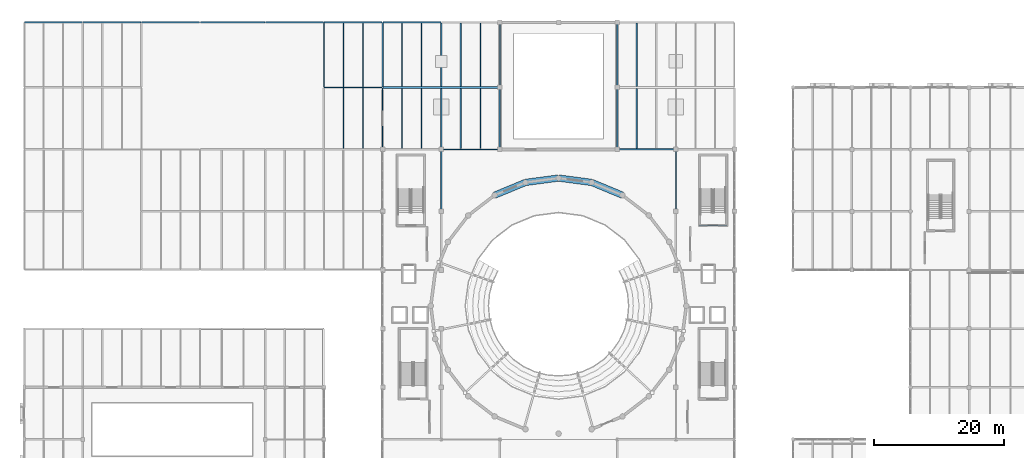
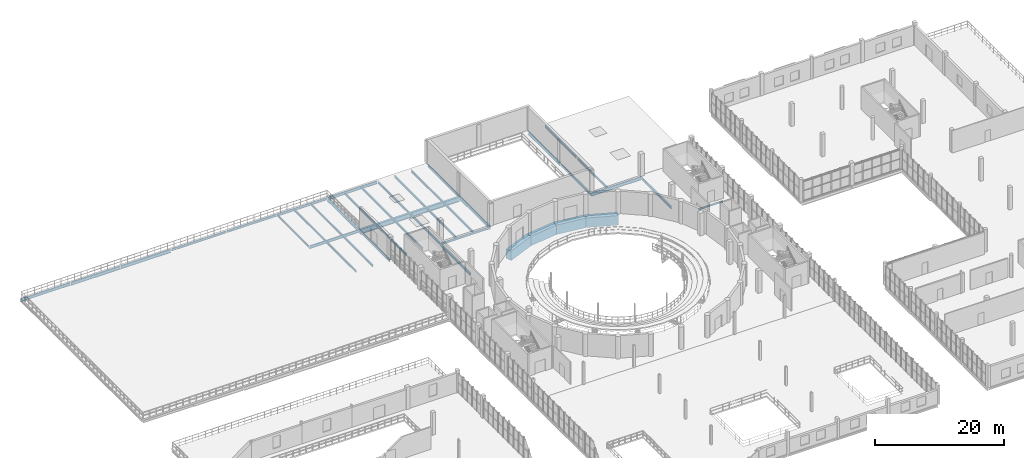
# One storey, part 36 of 73: 41 beams.
"""IFC4 building model written with IfcOpenShell, lengths in metres."""

from ifc_helpers import new_model, si_unit, direction, frame, origin, origin_2d, place, context, subcontext, project, spatial, rectangle, i_section, extrude, material, material_profile, profile_set, type_object, element, save


model = new_model("IFC4")

# Units and contexts
model_context = context("Model", 3, precision=1e-05, world=origin(), true_north=direction((0.0, 1.0)))
body_context = subcontext(model_context, "Body", "Model", "MODEL_VIEW")
ifc_project = project(units=[si_unit("LENGTHUNIT", "METRE"), si_unit("AREAUNIT", "SQUARE_METRE"), si_unit("VOLUMEUNIT", "CUBIC_METRE"), si_unit("PLANEANGLEUNIT", "RADIAN"), si_unit("MASSUNIT", "GRAM", prefix="KILO")], contexts=[model_context])

# Site, building, storey
site_placement = place(None, origin())
site = spatial("IfcSite", under=ifc_project, at=site_placement, CompositionType="ELEMENT")
building_placement = place(site_placement, origin())
building = spatial("IfcBuilding", under=site, at=building_placement, Name="Marnock Terrace Opera House", CompositionType="ELEMENT")
storey_placement = place(building_placement, frame((0.0, 0.0, 14.699951171875)))
storey = spatial("IfcBuildingStorey", under=building, at=storey_placement, Name="L03", CompositionType="ELEMENT", Elevation=14.699951171875)

# Beams
ifc_material_1 = material(Name="Steel Grade 350 (AS/NZS 3679.1)", Category="steel")
ifc_material_profile_1 = material_profile(ifc_material_1, i_section(OverallWidth=0.1708984375, OverallDepth=0.355712890625, WebThickness=0.00732421875, FlangeThickness=0.011474609375, FilletRadius=0.011474609375, at=origin_2d()))
ifc_profile_set_1 = profile_set([ifc_material_profile_1], Name="Steel Grade 350 (AS/NZS 3679.1)")
beam_type_1 = type_object("IfcBeamType", Name="BM-GIRD-360", PredefinedType="BEAM", material=ifc_profile_set_1)
beam_1_placement = place(storey_placement, frame((46.0, 94.050048828125, -0.44775390625), z_axis=(0.0, 1.0, 0.0), x_axis=(-1.0, 0.0, 0.0)))
element("IfcBeam", 1, at=beam_1_placement, inside=storey, type_object=beam_type_1, Name="L03 girder (X=46.0, 94.0..104.0)", PredefinedType="BEAM", context=body_context, shape_type="SweptSolid", body=[
    extrude(i_section(OverallWidth=0.1708984375, OverallDepth=0.355712890625, WebThickness=0.00732421875, FlangeThickness=0.011474609375, FilletRadius=0.011474609375, at=origin_2d()), origin(), (0.0, 0.0, 1.0), 9.89990234375),
])
ifc_material_profile_2 = material_profile(ifc_material_1, i_section(OverallWidth=0.177978515625, OverallDepth=0.402587890625, WebThickness=0.007568359375, FlangeThickness=0.010986328125, FilletRadius=0.011474609375, at=origin_2d()))
ifc_profile_set_2 = profile_set([ifc_material_profile_2], Name="Steel Grade 350 (AS/NZS 3679.1)")
beam_type_2 = type_object("IfcBeamType", Name="BM-GIRD-410", PredefinedType="BEAM", material=ifc_profile_set_2)
beam_2_placement = place(storey_placement, frame((64.050048828125, 84.5, -0.461181640625), z_axis=(1.0, 0.0, 0.0), x_axis=(0.0, 1.0, 0.0)))
element("IfcBeam", 2, at=beam_2_placement, inside=storey, type_object=beam_type_2, Name="L03 girder (64.0..73.0, Y=84.5)", PredefinedType="BEAM", context=body_context, shape_type="SweptSolid", body=[
    extrude(i_section(OverallWidth=0.177978515625, OverallDepth=0.402587890625, WebThickness=0.007568359375, FlangeThickness=0.010986328125, FilletRadius=0.011474609375, at=origin_2d()), origin(), (0.0, 0.0, 1.0), 8.89990234375),
])
beam_3_placement = place(storey_placement, frame((27.050048828125, 104.0, -0.47119140625), z_axis=(1.0, 0.0, 0.0), x_axis=(0.0, 1.0, 0.0)))
element("IfcBeam", 3, at=beam_3_placement, inside=storey, type_object=beam_type_2, Name="L03 girder (27.0..37.0, Y=104.0)", PredefinedType="BEAM", context=body_context, shape_type="SweptSolid", body=[
    extrude(i_section(OverallWidth=0.177978515625, OverallDepth=0.402587890625, WebThickness=0.007568359375, FlangeThickness=0.010986328125, FilletRadius=0.011474609375, at=origin_2d()), origin(), (0.0, 0.0, 1.0), 9.89990234375),
])
beam_4_placement = place(storey_placement, frame((37.050048828125, 104.0, -0.47119140625), z_axis=(1.0, 0.0, 0.0), x_axis=(0.0, 1.0, 0.0)))
element("IfcBeam", 4, at=beam_4_placement, inside=storey, type_object=beam_type_2, Name="L03 girder (37.0..46.0, Y=104.0)", PredefinedType="BEAM", context=body_context, shape_type="SweptSolid", body=[
    extrude(i_section(OverallWidth=0.177978515625, OverallDepth=0.402587890625, WebThickness=0.007568359375, FlangeThickness=0.010986328125, FilletRadius=0.011474609375, at=origin_2d()), origin(), (0.0, 0.0, 1.0), 8.89990234375),
])
ifc_material_profile_3 = material_profile(ifc_material_1, i_section(OverallWidth=0.19091796875, OverallDepth=0.46044921875, WebThickness=0.010009765625, FlangeThickness=0.01611328125, FilletRadius=0.011474609375, at=origin_2d()))
ifc_profile_set_3 = profile_set([ifc_material_profile_3], Name="Steel Grade 350 (AS/NZS 3679.1)")
beam_type_3 = type_object("IfcBeamType", Name="BM-GIRD-460A", PredefinedType="BEAM", material=ifc_profile_set_3)
beam_5_placement = place(storey_placement, frame((46.050048828125, 104.0, -0.500244140625), z_axis=(1.0, 0.0, 0.0), x_axis=(0.0, 1.0, 0.0)))
element("IfcBeam", 5, at=beam_5_placement, inside=storey, type_object=beam_type_3, Name="L03 girder (46.0..55.0, Y=104.0)", PredefinedType="BEAM", context=body_context, shape_type="SweptSolid", body=[
    extrude(i_section(OverallWidth=0.19091796875, OverallDepth=0.46044921875, WebThickness=0.010009765625, FlangeThickness=0.01611328125, FilletRadius=0.011474609375, at=origin_2d()), origin(), (0.0, 0.0, 1.0), 8.89990234375),
])
ifc_material_profile_4 = material_profile(ifc_material_1, i_section(OverallWidth=0.18994140625, OverallDepth=0.45751953125, WebThickness=0.009033203125, FlangeThickness=0.014404296875, FilletRadius=0.011474609375, at=origin_2d()))
ifc_profile_set_4 = profile_set([ifc_material_profile_4], Name="Steel Grade 350 (AS/NZS 3679.1)")
beam_type_4 = type_object("IfcBeamType", Name="BM-GIRD-460B", PredefinedType="BEAM", material=ifc_profile_set_4)
for number, where, z_axis, x_axis, name in (
    (6, (55.0, 84.550048828125, -0.49853515625), (0.0, 1.0, 0.0), (-1.0, 0.0, 0.0), "L03 girder (X=55.0, 84.5..94.0)"),
    (7, (64.0, 75.050048828125, -0.48876953125), (0.0, 1.0, 0.0), (-1.0, 0.0, 0.0), "L03 girder (X=64.0, 75.0..84.5)"),
):
    element("IfcBeam", number, at=place(storey_placement, frame(where, z_axis=z_axis, x_axis=x_axis)), inside=storey, type_object=beam_type_4, Name=name, PredefinedType="BEAM", context=body_context, shape_type="SweptSolid", body=[
        extrude(i_section(OverallWidth=0.18994140625, OverallDepth=0.45751953125, WebThickness=0.009033203125, FlangeThickness=0.014404296875, FilletRadius=0.011474609375, at=origin_2d()), origin(), (0.0, 0.0, 1.0), 9.39990234375),
    ])
beam_6_placement = place(storey_placement, frame((73.0, 94.050048828125, -0.48876953125), z_axis=(0.0, 1.0, 0.0), x_axis=(-1.0, 0.0, 0.0)))
element("IfcBeam", 8, at=beam_6_placement, inside=storey, type_object=beam_type_4, Name="L03 girder (X=73.0, 94.0..104.0)", PredefinedType="BEAM", context=body_context, shape_type="SweptSolid", body=[
    extrude(i_section(OverallWidth=0.18994140625, OverallDepth=0.45751953125, WebThickness=0.009033203125, FlangeThickness=0.014404296875, FilletRadius=0.011474609375, at=origin_2d()), origin(), (0.0, 0.0, 1.0), 9.89990234375),
])
for number, where, z_axis, x_axis, name in (
    (9, (91.0, 84.550048828125, -0.48876953125), (0.0, 1.0, 0.0), (-1.0, 0.0, 0.0), "L03 girder (X=91.0, 84.5..94.0)"),
    (10, (100.0, 75.050048828125, -0.48876953125), (0.0, 1.0, 0.0), (-1.0, 0.0, 0.0), "L03 girder (X=100.0, 75.0..84.5)"),
):
    element("IfcBeam", number, at=place(storey_placement, frame(where, z_axis=z_axis, x_axis=x_axis)), inside=storey, type_object=beam_type_4, Name=name, PredefinedType="BEAM", context=body_context, shape_type="SweptSolid", body=[
        extrude(i_section(OverallWidth=0.18994140625, OverallDepth=0.45751953125, WebThickness=0.009033203125, FlangeThickness=0.014404296875, FilletRadius=0.011474609375, at=origin_2d()), origin(), (0.0, 0.0, 1.0), 9.39990234375),
    ])
ifc_material_profile_5 = material_profile(ifc_material_1, i_section(OverallWidth=0.208984375, OverallDepth=0.532958984375, WebThickness=0.01025390625, FlangeThickness=0.015625, FilletRadius=0.013916015625, at=origin_2d()))
ifc_profile_set_5 = profile_set([ifc_material_profile_5], Name="Steel Grade 350 (AS/NZS 3679.1)")
beam_type_5 = type_object("IfcBeamType", Name="BM-GIRD-530A", PredefinedType="BEAM", material=ifc_profile_set_5)
for number, where, z_axis, x_axis, name in (
    (11, (46.050048828125, 94.0, -0.536376953125), (1.0, 0.0, 0.0), (0.0, 1.0, 0.0), "L03 girder (46.0..55.0, Y=94.0)"),
    (12, (0.050048828125, 104.0, -0.536376953125), (1.0, 0.0, 0.0), (0.0, 1.0, 0.0), "L03 girder (0.0..9.0, Y=104.0)"),
    (13, (55.050048828125, 104.0, -0.536376953125), (1.0, 0.0, 0.0), (0.0, 1.0, 0.0), "L03 girder (55.0..64.0, Y=104.0)"),
):
    element("IfcBeam", number, at=place(storey_placement, frame(where, z_axis=z_axis, x_axis=x_axis)), inside=storey, type_object=beam_type_5, Name=name, PredefinedType="BEAM", context=body_context, shape_type="SweptSolid", body=[
        extrude(i_section(OverallWidth=0.208984375, OverallDepth=0.532958984375, WebThickness=0.01025390625, FlangeThickness=0.015625, FilletRadius=0.013916015625, at=origin_2d()), origin(), (0.0, 0.0, 1.0), 8.89990234375),
    ])
ifc_material_profile_6 = material_profile(ifc_material_1, i_section(OverallWidth=0.22900390625, OverallDepth=0.611572265625, WebThickness=0.011962890625, FlangeThickness=0.01953125, FilletRadius=0.013916015625, at=origin_2d()))
ifc_profile_set_6 = profile_set([ifc_material_profile_6], Name="Steel Grade 350 (AS/NZS 3679.1)")
beam_type_6 = type_object("IfcBeamType", Name="BM-GIRD-610A", PredefinedType="BEAM", material=ifc_profile_set_6)
beam_7_placement = place(storey_placement, frame((18.050048828125, 104.0, -0.57568359375), z_axis=(1.0, 0.0, 0.0), x_axis=(0.0, 1.0, 0.0)))
element("IfcBeam", 14, at=beam_7_placement, inside=storey, type_object=beam_type_6, Name="L03 girder (18.0..27.0, Y=104.0)", PredefinedType="BEAM", context=body_context, shape_type="SweptSolid", body=[
    extrude(i_section(OverallWidth=0.22900390625, OverallDepth=0.611572265625, WebThickness=0.011962890625, FlangeThickness=0.01953125, FilletRadius=0.013916015625, at=origin_2d()), origin(), (0.0, 0.0, 1.0), 8.89990234375),
])
ifc_material_profile_7 = material_profile(ifc_material_1, i_section(OverallWidth=0.22802734375, OverallDepth=0.60693359375, WebThickness=0.01123046875, FlangeThickness=0.017333984375, FilletRadius=0.013916015625, at=origin_2d()))
ifc_profile_set_7 = profile_set([ifc_material_profile_7], Name="Steel Grade 350 (AS/NZS 3679.1)")
beam_type_7 = type_object("IfcBeamType", Name="BM-GIRD-610B", PredefinedType="BEAM", material=ifc_profile_set_7)
for number, where, z_axis, x_axis, name in (
    (15, (91.050048828125, 84.5, -0.5634765625), (1.0, 0.0, 0.0), (0.0, 1.0, 0.0), "L03 girder (91.0..100.0, Y=84.5)"),
    (16, (9.050048828125, 104.0, -0.573486328125), (1.0, 0.0, 0.0), (0.0, 1.0, 0.0), "L03 girder (9.0..18.0, Y=104.0)"),
):
    element("IfcBeam", number, at=place(storey_placement, frame(where, z_axis=z_axis, x_axis=x_axis)), inside=storey, type_object=beam_type_7, Name=name, PredefinedType="BEAM", context=body_context, shape_type="SweptSolid", body=[
        extrude(i_section(OverallWidth=0.22802734375, OverallDepth=0.60693359375, WebThickness=0.01123046875, FlangeThickness=0.017333984375, FilletRadius=0.013916015625, at=origin_2d()), origin(), (0.0, 0.0, 1.0), 8.89990234375),
    ])
ifc_material_profile_8 = material_profile(ifc_material_1, i_section(OverallWidth=0.22802734375, OverallDepth=0.60205078125, WebThickness=0.010498046875, FlangeThickness=0.014892578125, FilletRadius=0.013916015625, at=origin_2d()))
ifc_profile_set_8 = profile_set([ifc_material_profile_8], Name="Steel Grade 350 (AS/NZS 3679.1)")
beam_type_8 = type_object("IfcBeamType", Name="BM-GIRD-610C", PredefinedType="BEAM", material=ifc_profile_set_8)
beam_8_placement = place(storey_placement, frame((55.0, 94.050048828125, -0.571044921875), z_axis=(0.0, 1.0, 0.0), x_axis=(-1.0, 0.0, 0.0)))
element("IfcBeam", 17, at=beam_8_placement, inside=storey, type_object=beam_type_8, Name="L03 girder (X=55.0, 94.0..104.0)", PredefinedType="BEAM", context=body_context, shape_type="SweptSolid", body=[
    extrude(i_section(OverallWidth=0.22802734375, OverallDepth=0.60205078125, WebThickness=0.010498046875, FlangeThickness=0.014892578125, FilletRadius=0.013916015625, at=origin_2d()), origin(), (0.0, 0.0, 1.0), 9.89990234375),
])
beam_9_placement = place(storey_placement, frame((73.0, 84.550048828125, -0.56103515625), z_axis=(0.0, 1.0, 0.0), x_axis=(-1.0, 0.0, 0.0)))
element("IfcBeam", 18, at=beam_9_placement, inside=storey, type_object=beam_type_8, Name="L03 girder (X=73.0, 84.5..94.0)", PredefinedType="BEAM", context=body_context, shape_type="SweptSolid", body=[
    extrude(i_section(OverallWidth=0.22802734375, OverallDepth=0.60205078125, WebThickness=0.010498046875, FlangeThickness=0.014892578125, FilletRadius=0.013916015625, at=origin_2d()), origin(), (0.0, 0.0, 1.0), 9.39990234375),
])
beam_10_placement = place(storey_placement, frame((91.0, 94.050048828125, -0.56103515625), z_axis=(0.0, 1.0, 0.0), x_axis=(-1.0, 0.0, 0.0)))
element("IfcBeam", 19, at=beam_10_placement, inside=storey, type_object=beam_type_8, Name="L03 girder (X=91.0, 94.0..104.0)", PredefinedType="BEAM", context=body_context, shape_type="SweptSolid", body=[
    extrude(i_section(OverallWidth=0.22802734375, OverallDepth=0.60205078125, WebThickness=0.010498046875, FlangeThickness=0.014892578125, FilletRadius=0.013916015625, at=origin_2d()), origin(), (0.0, 0.0, 1.0), 9.89990234375),
])
ifc_material_profile_9 = material_profile(ifc_material_1, i_section(OverallWidth=0.172119140625, OverallDepth=0.358642578125, WebThickness=0.008056640625, FlangeThickness=0.012939453125, FilletRadius=0.011474609375, at=origin_2d()))
ifc_profile_set_9 = profile_set([ifc_material_profile_9], Name="Steel Grade 350 (AS/NZS 3679.1)")
beam_type_9 = type_object("IfcBeamType", Name="BM-JOIST-360", PredefinedType="JOIST", material=ifc_profile_set_9)
for number, where, z_axis, x_axis, name in (
    (20, (49.0, 94.099609375, -0.44921875), (0.0, 1.0, 0.0), (-1.0, 0.0, 0.0), "L03 secondary joist 5.11.1"),
    (21, (52.0, 94.099609375, -0.44921875), (0.0, 1.0, 0.0), (-1.0, 0.0, 0.0), "L03 secondary joist 5.11.2"),
):
    element("IfcBeam", number, at=place(storey_placement, frame(where, z_axis=z_axis, x_axis=x_axis)), inside=storey, type_object=beam_type_9, Name=name, PredefinedType="JOIST", context=body_context, shape_type="SweptSolid", body=[
        extrude(i_section(OverallWidth=0.172119140625, OverallDepth=0.358642578125, WebThickness=0.008056640625, FlangeThickness=0.012939453125, FilletRadius=0.011474609375, at=origin_2d()), origin(), (0.0, 0.0, 1.0), 9.809814453125),
    ])
ifc_material_profile_10 = material_profile(ifc_material_1, i_section(OverallWidth=0.177978515625, OverallDepth=0.406494140625, WebThickness=0.0078125, FlangeThickness=0.0126953125, FilletRadius=0.011474609375, at=origin_2d()))
ifc_profile_set_10 = profile_set([ifc_material_profile_10], Name="Steel Grade 350 (AS/NZS 3679.1)")
beam_type_10 = type_object("IfcBeamType", Name="BM-JOIST-410", PredefinedType="JOIST", material=ifc_profile_set_10)
for number, where, z_axis, x_axis, name in (
    (22, (58.0, 84.60498046875, -0.423095703125), (0.0, 1.0, 0.0), (-1.0, 0.0, 0.0), "L03 side-stage roof joist 55.84.1"),
    (23, (61.0, 84.60498046875, -0.423095703125), (0.0, 1.0, 0.0), (-1.0, 0.0, 0.0), "L03 side-stage roof joist 55.84.2"),
    (24, (64.0, 84.60498046875, -0.423095703125), (0.0, 1.0, 0.0), (-1.0, 0.0, 0.0), "L03 side-stage roof joist 55.84.3"),
    (25, (67.0, 84.60498046875, -0.423095703125), (0.0, 1.0, 0.0), (-1.0, 0.0, 0.0), "L03 side-stage roof joist 55.84.4"),
    (26, (70.0, 84.60498046875, -0.423095703125), (0.0, 1.0, 0.0), (-1.0, 0.0, 0.0), "L03 side-stage roof joist 55.84.5"),
):
    element("IfcBeam", number, at=place(storey_placement, frame(where, z_axis=z_axis, x_axis=x_axis)), inside=storey, type_object=beam_type_10, Name=name, PredefinedType="JOIST", context=body_context, shape_type="SweptSolid", body=[
        extrude(i_section(OverallWidth=0.177978515625, OverallDepth=0.406494140625, WebThickness=0.0078125, FlangeThickness=0.0126953125, FilletRadius=0.011474609375, at=origin_2d()), origin(), (0.0, 0.0, 1.0), 9.22998046875),
    ])
for number, where, z_axis, x_axis, name in (
    (27, (58.0, 94.1650390625, -0.423095703125), (0.0, 1.0, 0.0), (-1.0, 0.0, 0.0), "L03 side-stage roof joist 55.94.1"),
    (28, (61.0, 94.1650390625, -0.423095703125), (0.0, 1.0, 0.0), (-1.0, 0.0, 0.0), "L03 side-stage roof joist 55.94.2"),
    (29, (64.0, 94.1650390625, -0.423095703125), (0.0, 1.0, 0.0), (-1.0, 0.0, 0.0), "L03 side-stage roof joist 55.94.3"),
    (30, (67.0, 94.1650390625, -0.423095703125), (0.0, 1.0, 0.0), (-1.0, 0.0, 0.0), "L03 side-stage roof joist 55.94.4"),
    (31, (70.0, 94.1650390625, -0.423095703125), (0.0, 1.0, 0.0), (-1.0, 0.0, 0.0), "L03 side-stage roof joist 55.94.5"),
):
    element("IfcBeam", number, at=place(storey_placement, frame(where, z_axis=z_axis, x_axis=x_axis)), inside=storey, type_object=beam_type_10, Name=name, PredefinedType="JOIST", context=body_context, shape_type="SweptSolid", body=[
        extrude(i_section(OverallWidth=0.177978515625, OverallDepth=0.406494140625, WebThickness=0.0078125, FlangeThickness=0.0126953125, FilletRadius=0.011474609375, at=origin_2d()), origin(), (0.0, 0.0, 1.0), 9.72998046875),
    ])
beam_11_placement = place(storey_placement, frame((94.0, 84.60498046875, -0.423095703125), z_axis=(0.0, 1.0, 0.0), x_axis=(-1.0, 0.0, 0.0)))
element("IfcBeam", 32, at=beam_11_placement, inside=storey, type_object=beam_type_10, Name="L03 side-stage roof joist 91.84.1", PredefinedType="JOIST", context=body_context, shape_type="SweptSolid", body=[
    extrude(i_section(OverallWidth=0.177978515625, OverallDepth=0.406494140625, WebThickness=0.0078125, FlangeThickness=0.0126953125, FilletRadius=0.011474609375, at=origin_2d()), origin(), (0.0, 0.0, 1.0), 9.22998046875),
])
beam_12_placement = place(storey_placement, frame((94.0, 94.1650390625, -0.423095703125), z_axis=(0.0, 1.0, 0.0), x_axis=(-1.0, 0.0, 0.0)))
element("IfcBeam", 33, at=beam_12_placement, inside=storey, type_object=beam_type_10, Name="L03 side-stage roof joist 91.94.1", PredefinedType="JOIST", context=body_context, shape_type="SweptSolid", body=[
    extrude(i_section(OverallWidth=0.177978515625, OverallDepth=0.406494140625, WebThickness=0.0078125, FlangeThickness=0.0126953125, FilletRadius=0.011474609375, at=origin_2d()), origin(), (0.0, 0.0, 1.0), 9.72998046875),
])
for number, where, z_axis, x_axis, name in (
    (34, (49.0, 84.60888671875, -0.47314453125), (0.0, 1.0, 0.0), (-1.0, 0.0, 0.0), "L03 secondary joist 5.10.1"),
    (35, (52.0, 84.60888671875, -0.47314453125), (0.0, 1.0, 0.0), (-1.0, 0.0, 0.0), "L03 secondary joist 5.10.2"),
):
    element("IfcBeam", number, at=place(storey_placement, frame(where, z_axis=z_axis, x_axis=x_axis)), inside=storey, type_object=beam_type_10, Name=name, PredefinedType="JOIST", context=body_context, shape_type="SweptSolid", body=[
        extrude(i_section(OverallWidth=0.177978515625, OverallDepth=0.406494140625, WebThickness=0.0078125, FlangeThickness=0.0126953125, FilletRadius=0.011474609375, at=origin_2d()), origin(), (0.0, 0.0, 1.0), 9.29150390625),
    ])
ifc_material_profile_11 = material_profile(ifc_material_1, i_section(OverallWidth=0.166015625, OverallDepth=0.30712890625, WebThickness=0.006591796875, FlangeThickness=0.01171875, FilletRadius=0.011474609375, at=origin_2d()))
ifc_profile_set_11 = profile_set([ifc_material_profile_11], Name="Steel Grade 350 (AS/NZS 3679.1)")
beam_type_11 = type_object("IfcBeamType", Name="BM-LINT-310", PredefinedType="LINTEL", material=ifc_profile_set_11)
beam_13_placement = place(storey_placement, frame((103.52001953125, 72.800048828125, -0.60986328125), z_axis=(1.0, 0.0, 0.0), x_axis=(0.0, 1.0, 0.0)))
element("IfcBeam", 36, at=beam_13_placement, inside=storey, type_object=beam_type_11, Name="L02 Core C4 coupling lintel", PredefinedType="LINTEL", context=body_context, shape_type="SweptSolid", body=[
    extrude(i_section(OverallWidth=0.166015625, OverallDepth=0.30712890625, WebThickness=0.006591796875, FlangeThickness=0.01171875, FilletRadius=0.011474609375, at=origin_2d()), origin(), (0.0, 0.0, 1.0), 4.35986328125),
])
ifc_material_2 = material(Name="Steel Grade 350 Welded (AS/NZS 3679.2)", Category="steel")
ifc_material_profile_12 = material_profile(ifc_material_2, i_section(OverallWidth=0.35009765625, OverallDepth=0.924072265625, WebThickness=0.01611328125, FlangeThickness=0.031982421875, at=origin_2d()))
ifc_profile_set_12 = profile_set([ifc_material_profile_12], Name="Steel Grade 350 Welded (AS/NZS 3679.2)")
beam_type_12 = type_object("IfcBeamType", Name="BM-VALLEY-900", PredefinedType="BEAM", material=ifc_profile_set_12)
beam_14_placement = place(storey_placement, frame((55.050048828125, 94.0, -0.73193359375), z_axis=(1.0, 0.0, 0.0), x_axis=(0.0, 1.0, 0.0)))
element("IfcBeam", 37, at=beam_14_placement, inside=storey, type_object=beam_type_12, Name="L03 girder (55.0..73.0, Y=94.0)", PredefinedType="BEAM", context=body_context, shape_type="SweptSolid", body=[
    extrude(i_section(OverallWidth=0.35009765625, OverallDepth=0.924072265625, WebThickness=0.01611328125, FlangeThickness=0.031982421875, at=origin_2d()), origin(), (0.0, 0.0, 1.0), 17.89990234375),
])
ifc_material_3 = material(Name="Concrete N50 (f'c = 50 MPa)", Category="concrete")
ifc_material_profile_13 = material_profile(ifc_material_3, rectangle(XDim=1.0, YDim=1.800048828125, at=origin_2d()))
ifc_profile_set_13 = profile_set([ifc_material_profile_13], Name="Concrete N50 (f'c = 50 MPa)")
beam_type_13 = type_object("IfcBeamType", Name="BM-XFER-RC1000", PredefinedType="BEAM", material=ifc_profile_set_13)
beam_15_placement = place(storey_placement, frame((91.800048828125, 77.47412109375, -1.10986328125), z_axis=(-0.923896452635, 0.382642581018, 0.0), x_axis=(-0.382642581018, -0.923896452635, 0.0)))
element("IfcBeam", 38, at=beam_15_placement, inside=storey, type_object=beam_type_13, Name="Drum proscenium transfer girder 4", PredefinedType="BEAM", context=body_context, shape_type="SweptSolid", body=[
    extrude(rectangle(XDim=1.0, YDim=1.800048828125, at=origin_2d()), origin(), (0.0, 0.0, 1.0), 5.116455078125),
])
for number, where, z_axis, x_axis, name in (
    (39, (87.072998046875, 79.431884765625, -1.10986328125), (-0.99143625958, 0.130591512704, 0.0), (-0.130591512704, -0.99143625958, 0.0), "Drum proscenium transfer girder 5"),
    (40, (82.0, 80.10009765625, -1.10986328125), (-0.99143625958, -0.130591512704, 0.0), (0.130591512704, -0.99143625958, 0.0), "Drum proscenium transfer girder 6"),
):
    element("IfcBeam", number, at=place(storey_placement, frame(where, z_axis=z_axis, x_axis=x_axis)), inside=storey, type_object=beam_type_13, Name=name, PredefinedType="BEAM", context=body_context, shape_type="SweptSolid", body=[
        extrude(rectangle(XDim=1.0, YDim=1.800048828125, at=origin_2d()), origin(), (0.0, 0.0, 1.0), 5.11669921875),
    ])
beam_16_placement = place(storey_placement, frame((76.927001953125, 79.431884765625, -1.10986328125), z_axis=(-0.923896452635, -0.382642581018, 0.0), x_axis=(0.382642581018, -0.923896452635, 0.0)))
element("IfcBeam", 41, at=beam_16_placement, inside=storey, type_object=beam_type_13, Name="Drum proscenium transfer girder 7", PredefinedType="BEAM", context=body_context, shape_type="SweptSolid", body=[
    extrude(rectangle(XDim=1.0, YDim=1.800048828125, at=origin_2d()), origin(), (0.0, 0.0, 1.0), 5.116455078125),
])

save(model, "model.ifc")
